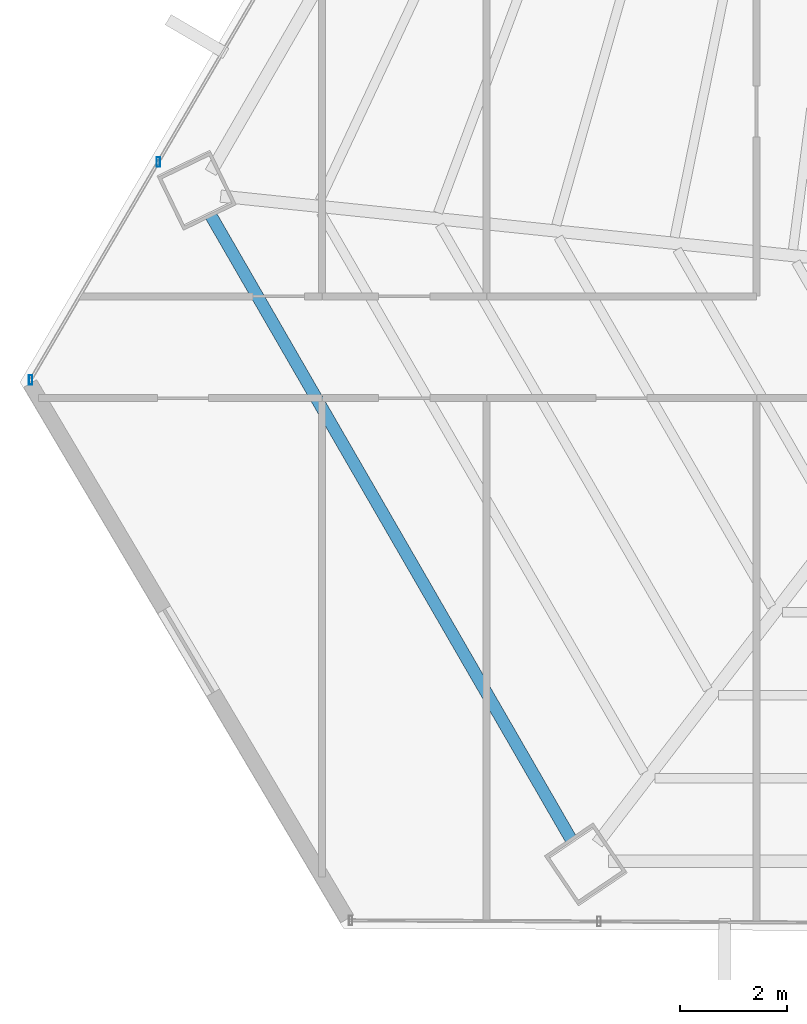
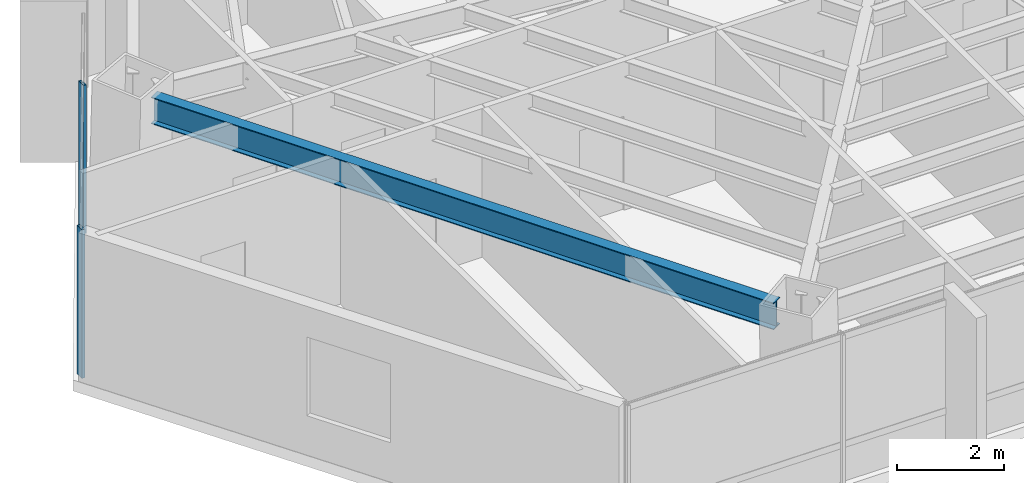
# One storey, part 6 of 36: 2 members, 1 beam, 1 element without a shape of its own.
"""IFC4 building model written with IfcOpenShell, lengths in metres."""

from ifc_helpers import new_model, si_unit, direction, frame, origin, origin_2d, place, context, subcontext, project, spatial, hollow_rectangle, i_section, extrude, source, transform, mapped, material, material_profile, profile_set, type_object, type_shapes, element, aggregate, save


model = new_model("IFC4")

# Units and contexts
model_context = context("Model", 3, precision=1e-05, world=origin(), true_north=direction((0.0, 1.0)))
body_context = subcontext(model_context, "Body", "Model", "MODEL_VIEW")
ifc_project = project(units=[si_unit("LENGTHUNIT", "METRE"), si_unit("AREAUNIT", "SQUARE_METRE"), si_unit("VOLUMEUNIT", "CUBIC_METRE"), si_unit("PLANEANGLEUNIT", "RADIAN"), si_unit("MASSUNIT", "GRAM", prefix="KILO")], contexts=[model_context])

# Site, building, storey
site_placement = place(None, origin())
site = spatial("IfcSite", under=ifc_project, at=site_placement, CompositionType="ELEMENT")
building_placement = place(site_placement, origin())
building = spatial("IfcBuilding", under=site, at=building_placement, Name="Caelisora Broadcast Tower", CompositionType="ELEMENT")
storey_placement = place(building_placement, frame((0.0, 0.0, 112.699951171875)))
storey = spatial("IfcBuildingStorey", under=building, at=storey_placement, Name="L29", CompositionType="ELEMENT", Elevation=112.699951171875)

# Beam
ifc_material_1 = material(Name="Steel Grade 350 (AS/NZS 3679.1)", Category="steel")
ifc_material_profile_1 = material_profile(ifc_material_1, i_section(OverallWidth=0.22900390625, OverallDepth=0.611572265625, WebThickness=0.011962890625, FlangeThickness=0.01953125, at=origin_2d()), Name="Steel Grade 350 (AS/NZS 3679.1)")
ifc_profile_set_1 = profile_set([ifc_material_profile_1], Name="Steel Grade 350 (AS/NZS 3679.1)")
beam_type = type_object("IfcBeamType", Name="PG03", PredefinedType="BEAM", material=ifc_profile_set_1)
shared_shape_1 = source(origin(), body_context, "Body", "SweptSolid", [
    extrude(i_section(OverallWidth=0.22900390625, OverallDepth=0.611572265625, WebThickness=0.011962890625, FlangeThickness=0.01953125, at=origin_2d()), origin(), (0.0, 0.0, 1.0), 13.462890625),
])
type_shapes(beam_type, [shared_shape_1])
beam_placement = place(storey_placement, frame((15.2109375, 18.615478515625, 3.09423828125), z_axis=(0.500000823453, -0.866024928363, 0.0), x_axis=(0.866024928363, 0.500000823453, 0.0)))
element("IfcBeam", 1, at=beam_placement, inside=storey, type_object=beam_type, Name="L29 beam PG03", PredefinedType="BEAM", context=body_context, shape_type="MappedRepresentation", body=[
    mapped(shared_shape_1, transform((0.0, 0.0, 0.0), scale=1.0)),
])

# Curtain wall, members
ifc_material_2 = material(Name="Unitised Aluminium and Low-E Glass Curtain Wall", Category="glass")
curtain_wall_type = type_object("IfcCurtainWallType", Name="CW-Z2", PredefinedType="NOTDEFINED", material=ifc_material_2)
curtain_wall_placement = place(storey_placement, origin())
curtain_wall = element("IfcCurtainWall", 2, at=curtain_wall_placement, inside=storey, type_object=curtain_wall_type, Name="L29 curtain wall CW-Z2", PredefinedType="NOTDEFINED")
ifc_material_3 = material(Name="Aluminium 6063-T6 Anodised Terracotta Bronze", Category="aluminium")
ifc_material_profile_2 = material_profile(ifc_material_3, hollow_rectangle(XDim=0.06494140625, YDim=0.179931640625, WallThickness=0.00341796875, at=origin_2d()), Name="Aluminium 6063-T6 Anodised Terracotta Bronze")
ifc_profile_set_2 = profile_set([ifc_material_profile_2], Name="Aluminium 6063-T6 Anodised Terracotta Bronze")
member_type = type_object("IfcMemberType", Name="CWM-02", PredefinedType="MULLION", material=ifc_profile_set_2)
shared_shape_2 = source(origin(), body_context, "Body", "SweptSolid", [
    extrude(hollow_rectangle(XDim=0.06494140625, YDim=0.179931640625, WallThickness=0.00341796875, at=origin_2d()), origin(), (0.0, 0.0, 1.0), 3.400146484375),
])
type_shapes(member_type, [shared_shape_2])
member_1_placement = place(storey_placement, frame((11.851318359375, 15.541015625, 0.0), z_axis=(0.0, 0.0, 1.0), x_axis=(1.0, 0.0, 0.0)))
member_1 = element("IfcMember", 3, at=member_1_placement, type_object=member_type, Name="L29-CW-B09 mullion #0", PredefinedType="MULLION", context=body_context, shape_type="MappedRepresentation", body=[
    mapped(shared_shape_2, transform((0.0, 0.0, 0.0), scale=1.0)),
])
member_2_placement = place(storey_placement, frame((14.234130859375, 19.608154296875, 0.0), z_axis=(0.0, 0.0, 1.0), x_axis=(1.0, 0.0, 0.0)))
member_2 = element("IfcMember", 4, at=member_2_placement, type_object=member_type, Name="L29-CW-B09 mullion #1", PredefinedType="MULLION", context=body_context, shape_type="MappedRepresentation", body=[
    mapped(shared_shape_2, transform((0.0, 0.0, 0.0), scale=1.0)),
])
aggregate(curtain_wall, [member_1, member_2])

save(model, "model.ifc")
